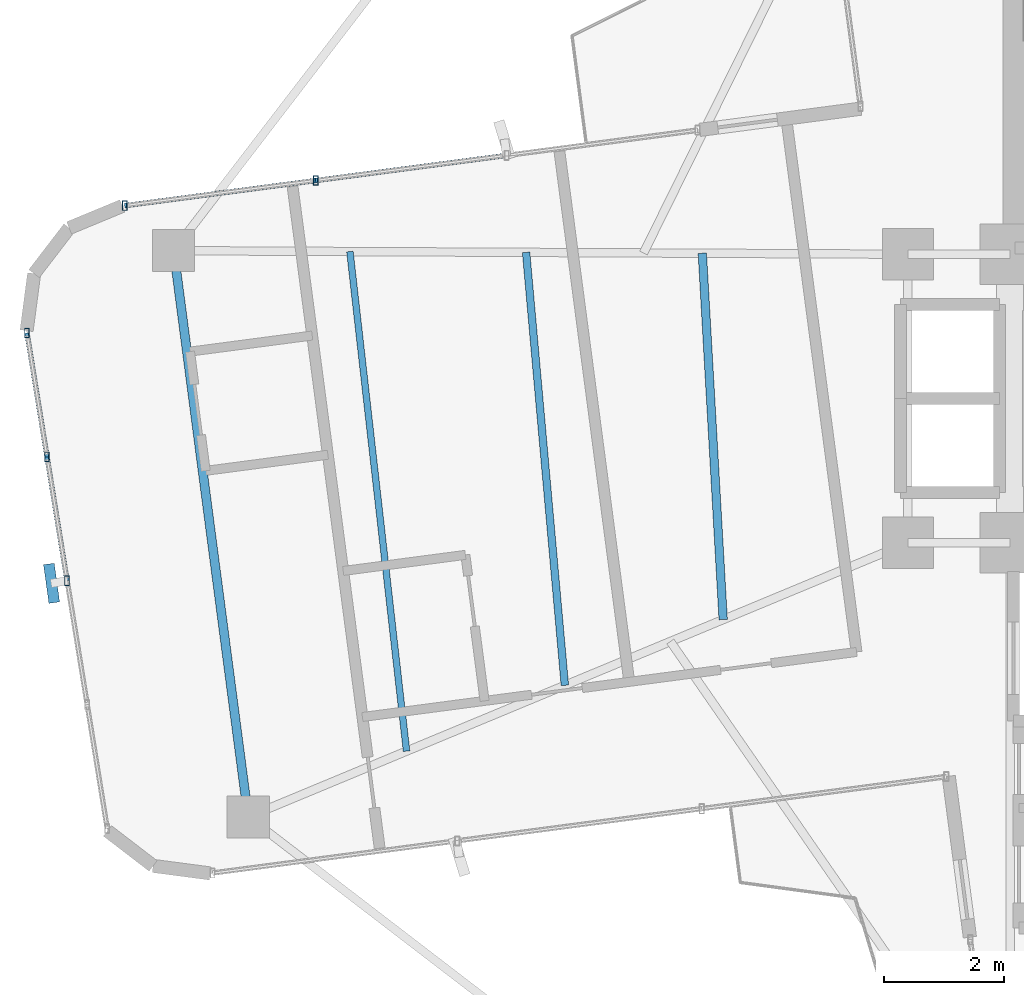
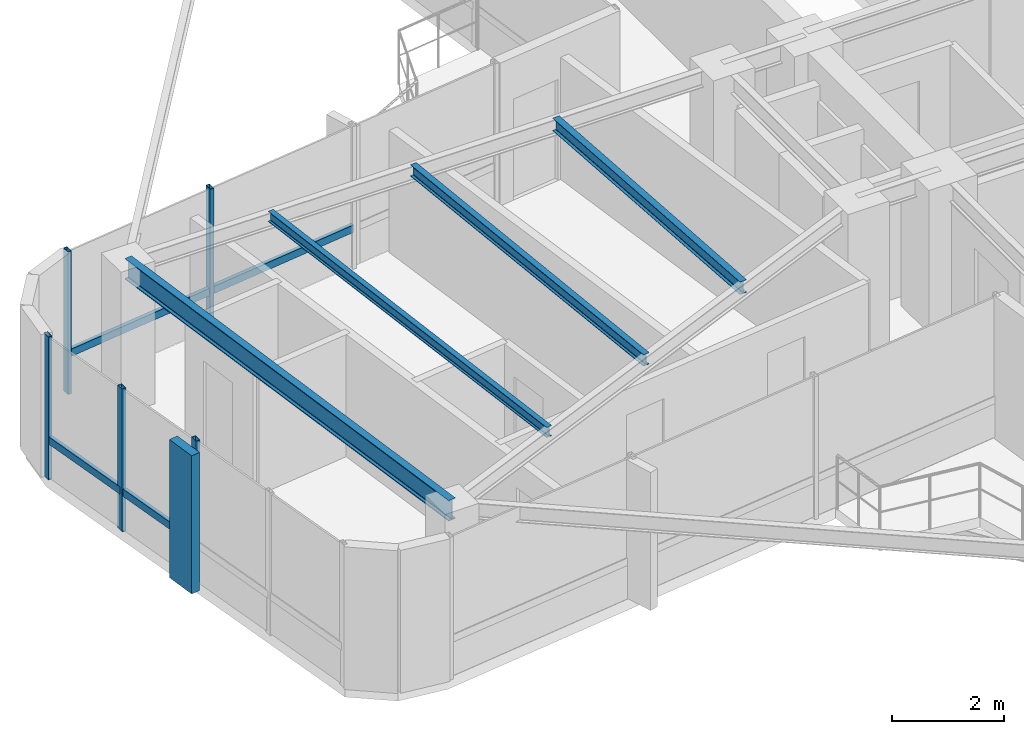
# One storey, part 7 of 22: 10 members, 4 beams, 2 elements without a shape of their own.
"""IFC4 building model written with IfcOpenShell, lengths in metres."""

import ifcopenshell
import ifcopenshell.guid

model = None  # the IFC model being written
_history = None  # IfcOwnerHistory: only IFC2X3 demands one
_inside = {}  # id of a spatial element -> (the spatial element, [elements in it])
_under = {}  # id of a project, library or spatial element -> (it, [spatial elements below it])
_declared = {}  # id of a project -> (the project, [libraries it declares])
_typed = {}  # id of a type object -> (the type object, [elements of that type])
_made_of = {}  # id of a material, layer set ... -> (it, [elements and type objects made of it])


def new_model(schema):
    """Start an empty IFC model of exactly this schema.

    Asked for "IFC4X3", IfcOpenShell would pick the latest addendum, in which some entities
    have other attributes; the version numbers below select the first issue.
    IFC2X3 requires an IfcOwnerHistory on every rooted entity: one is made here for all.
    """
    global model, _history
    if schema == "IFC4X3":
        model = ifcopenshell.file(schema_version=(4, 3, 0, 0))
    else:
        model = ifcopenshell.file(schema=schema)
    _inside.clear()
    _under.clear()
    _declared.clear()
    _typed.clear()
    _made_of.clear()
    _history = None
    if model.schema == "IFC2X3":
        org = make("IfcOrganization", Name="unknown")
        user = make(
            "IfcPersonAndOrganization",
            ThePerson=make("IfcPerson", FamilyName="unknown"),
            TheOrganization=org,
        )
        app = make(
            "IfcApplication",
            ApplicationDeveloper=org,
            Version="unknown",
            ApplicationFullName="unknown",
            ApplicationIdentifier="unknown",
        )
        _history = make(
            "IfcOwnerHistory",
            OwningUser=user,
            OwningApplication=app,
            ChangeAction="ADDED",
            CreationDate=0,
        )
    return model


def make(cls, **values):
    """One entity of the class cls with the attributes given. An attribute that is None is left unset."""
    return model.create_entity(
        cls, **{name: value for name, value in values.items() if value is not None}
    )


def rooted(cls, **values):
    """An entity with a GlobalId (a new one), such as an element, a storey or a relation."""
    return make(cls, GlobalId=ifcopenshell.guid.new(), OwnerHistory=_history, **values)


def si_unit(unit_type, name, prefix=None):
    """IfcSIUnit, for example si_unit("LENGTHUNIT", "METRE", prefix="MILLI")."""
    return make("IfcSIUnit", UnitType=unit_type, Prefix=prefix, Name=name)


def assignment(units):
    """IfcUnitAssignment: the units of a project."""
    return None if units is None else make("IfcUnitAssignment", Units=units)


def point(xyz):
    """IfcCartesianPoint."""
    return None if xyz is None else make("IfcCartesianPoint", Coordinates=xyz)


def direction(xyz):
    """IfcDirection."""
    return None if xyz is None else make("IfcDirection", DirectionRatios=xyz)


def frame(location, z_axis=None, x_axis=None):
    """IfcAxis2Placement3D, a coordinate frame: its origin and axes. An axis left out is left unset."""
    return make(
        "IfcAxis2Placement3D",
        Location=point(location),
        Axis=direction(z_axis),
        RefDirection=direction(x_axis),
    )


def frame_2d(location, x_axis=None):
    """IfcAxis2Placement2D, a coordinate frame in the plane: its origin and x axis."""
    return make(
        "IfcAxis2Placement2D", Location=point(location), RefDirection=direction(x_axis)
    )


def origin():
    """The frame at (0, 0, 0) with its axes left unset."""
    return frame((0.0, 0.0, 0.0))


def origin_2d():
    """The frame at (0, 0) in the plane with its x axis left unset."""
    return frame_2d((0.0, 0.0))


def place(relative_to, where):
    """IfcLocalPlacement: puts the frame where relative to a parent placement (None: the world)."""
    return make(
        "IfcLocalPlacement", PlacementRelTo=relative_to, RelativePlacement=where
    )


def context(
    kind, dimensions, precision=None, world=None, true_north=None, identifier=None
):
    """IfcGeometricRepresentationContext, for example the 3D "Model" context."""
    return make(
        "IfcGeometricRepresentationContext",
        ContextIdentifier=identifier,
        ContextType=kind,
        CoordinateSpaceDimension=dimensions,
        Precision=precision,
        WorldCoordinateSystem=world,
        TrueNorth=true_north,
    )


def subcontext(parent, identifier, kind, view, scale=None):
    """IfcGeometricRepresentationSubContext, for example "Body" below "Model"."""
    return make(
        "IfcGeometricRepresentationSubContext",
        ContextIdentifier=identifier,
        ContextType=kind,
        ParentContext=parent,
        TargetScale=scale,
        TargetView=view,
    )


def project(units=None, contexts=None):
    """IfcProject with its units and contexts."""
    return rooted(
        "IfcProject",
        Name="project",
        RepresentationContexts=contexts,
        UnitsInContext=assignment(units),
    )


def spatial(cls, under=None, at=None, **own):
    """A site, building, storey or space (cls), placed at a placement, below another one or the project."""
    s = rooted(cls, ObjectPlacement=at, **own)
    if under is not None:
        _under.setdefault(under.id(), (under, []))[1].append(s)
    return s


def profile(cls, at=None, kind="AREA", **sizes):
    """A parametric profile (cls). Its sizes go by their IFC names, for example OverallWidth=200.0."""
    return make(cls, ProfileType=kind, Position=at, **sizes)


def rectangle(**sizes):
    """IfcRectangleProfileDef."""
    return profile("IfcRectangleProfileDef", **sizes)


def hollow_rectangle(**sizes):
    """IfcRectangleHollowProfileDef."""
    return profile("IfcRectangleHollowProfileDef", **sizes)


def i_section(**sizes):
    """IfcIShapeProfileDef."""
    return profile("IfcIShapeProfileDef", **sizes)


def extrude(swept, where, along, depth):
    """IfcExtrudedAreaSolid: the profile swept, set in the frame where, extruded along a direction by depth."""
    return make(
        "IfcExtrudedAreaSolid",
        SweptArea=swept,
        Position=where,
        ExtrudedDirection=direction(along),
        Depth=depth,
    )


def shape(context_of_items, identifier, shape_type, items):
    """IfcShapeRepresentation: the items that make up one representation, for example the "Body"."""
    return make(
        "IfcShapeRepresentation",
        ContextOfItems=context_of_items,
        RepresentationIdentifier=identifier,
        RepresentationType=shape_type,
        Items=items,
    )


def source(mapping_origin, context_of_items, identifier, shape_type, items):
    """IfcRepresentationMap: a shape defined once, which mapped items show again and again."""
    return make(
        "IfcRepresentationMap",
        MappingOrigin=mapping_origin,
        MappedRepresentation=shape(context_of_items, identifier, shape_type, items),
    )


def transform(
    local_origin,
    x_axis=None,
    y_axis=None,
    z_axis=None,
    scale=None,
    scale2=None,
    scale3=None,
    uniform=True,
):
    """IfcCartesianTransformationOperator3D, or its non-uniform kind. x_axis, y_axis, z_axis: its Axis1, 2, 3."""
    if uniform:
        return make(
            "IfcCartesianTransformationOperator3D",
            Axis1=direction(x_axis),
            Axis2=direction(y_axis),
            LocalOrigin=point(local_origin),
            Scale=scale,
            Axis3=direction(z_axis),
        )
    return make(
        "IfcCartesianTransformationOperator3DnonUniform",
        Axis1=direction(x_axis),
        Axis2=direction(y_axis),
        LocalOrigin=point(local_origin),
        Scale=scale,
        Axis3=direction(z_axis),
        Scale2=scale2,
        Scale3=scale3,
    )


def mapped(mapping_source, mapping_target):
    """IfcMappedItem: shows the shape of a source again, moved by a transform."""
    return make(
        "IfcMappedItem", MappingSource=mapping_source, MappingTarget=mapping_target
    )


def material(Name=None, Category=None):
    """IfcMaterial."""
    return make("IfcMaterial", Name=Name, Category=Category)


def material_profile(
    of_material, cross_section, Name=None, Category=None, Priority=None
):
    """IfcMaterialProfile: a cross section and its material."""
    return make(
        "IfcMaterialProfile",
        Name=Name,
        Material=of_material,
        Profile=cross_section,
        Priority=Priority,
        Category=Category,
    )


def profile_set(profiles, Name=None, composite=None):
    """IfcMaterialProfileSet."""
    return make(
        "IfcMaterialProfileSet",
        Name=Name,
        MaterialProfiles=profiles,
        CompositeProfile=composite,
    )


def made_of(thing, what):
    """Note that an element or type object is made of a material, layer set ...; save() writes the relation."""
    if what is not None:
        _made_of.setdefault(what.id(), (what, []))[1].append(thing)
    return thing


def type_object(cls, material=None, **own):
    """A type object (cls), such as IfcWallType, which elements share."""
    return made_of(rooted(cls, **own), material)


def element(
    cls,
    number,
    at=None,
    inside=None,
    cuts=None,
    type_object=None,
    material=None,
    context=None,
    identifier="Body",
    shape_type=None,
    held_by="IfcProductDefinitionShape",
    body=None,
    shapes=None,
    **own,
):
    """One element of the class cls, such as IfcWall. Its Tag is "e" and its number.

    at: its placement. inside: the storey or other place that contains it. cuts: it is an
    opening in that element (IfcRelVoidsElement). A single representation is given by context,
    identifier, shape_type and body (its items); several are given by shapes. held_by: the class
    of the entity that holds the representations. save() writes the other relations.
    """
    e = rooted(cls, Tag="e%d" % number, ObjectPlacement=at, **own)
    if body is not None:
        shapes = [shape(context, identifier, shape_type, body)]
    if shapes is not None:
        e.Representation = make(held_by, Representations=shapes)
    if inside is not None:
        _inside.setdefault(inside.id(), (inside, []))[1].append(e)
    if cuts is not None:
        rooted(
            "IfcRelVoidsElement", RelatingBuildingElement=cuts, RelatedOpeningElement=e
        )
    if type_object is not None:
        _typed.setdefault(type_object.id(), (type_object, []))[1].append(e)
    return made_of(e, material)


def aggregate(whole, parts):
    """IfcRelAggregates: a whole, such as a stair, and the parts it consists of."""
    return rooted("IfcRelAggregates", RelatingObject=whole, RelatedObjects=parts)


def save(model, path):
    """Write the relations noted so far, then the file.

    IfcRelAggregates (storeys below a building ...), IfcRelContainedInSpatialStructure (elements
    in a storey), IfcRelDefinesByType, IfcRelAssociatesMaterial and IfcRelDeclares: one each for
    every whole, place, type object, material and project.
    """
    for whole, parts in _under.values():
        aggregate(whole, parts)
    for where, things in _inside.values():
        rooted(
            "IfcRelContainedInSpatialStructure",
            RelatedElements=things,
            RelatingStructure=where,
        )
    for kind, things in _typed.values():
        rooted("IfcRelDefinesByType", RelatedObjects=things, RelatingType=kind)
    for what, things in _made_of.values():
        rooted("IfcRelAssociatesMaterial", RelatedObjects=things, RelatingMaterial=what)
    for by, libraries in _declared.values():
        rooted("IfcRelDeclares", RelatingContext=by, RelatedDefinitions=libraries)
    model.write(path)


model = new_model("IFC4")

# Units and contexts
model_context = context("Model", 3, precision=1e-05, world=origin(), true_north=direction((0.0, 1.0)))
body_context = subcontext(model_context, "Body", "Model", "MODEL_VIEW")
ifc_project = project(units=[si_unit("LENGTHUNIT", "METRE"), si_unit("AREAUNIT", "SQUARE_METRE"), si_unit("VOLUMEUNIT", "CUBIC_METRE"), si_unit("PLANEANGLEUNIT", "RADIAN"), si_unit("MASSUNIT", "GRAM", prefix="KILO")], contexts=[model_context])

# Site, building, storey
site_placement = place(None, origin())
site = spatial("IfcSite", under=ifc_project, at=site_placement, CompositionType="ELEMENT")
building_placement = place(site_placement, origin())
building = spatial("IfcBuilding", under=site, at=building_placement, Name="Sahyath Konkavel Grand Hotel", CompositionType="ELEMENT")
storey_placement = place(building_placement, frame((0.0, 0.0, 272.449951171875)))
storey = spatial("IfcBuildingStorey", under=building, at=storey_placement, Name="L76", CompositionType="ELEMENT", Elevation=272.449951171875)

# Beams
ifc_material_1 = material(Name="Steel E350", Category="steel")
ifc_material_profile_1 = material_profile(ifc_material_1, i_section(OverallWidth=0.14990234375, OverallDepth=0.449951171875, WebThickness=0.009521484375, FlangeThickness=0.017333984375, FilletRadius=0.014892578125, at=origin_2d()), Name="ISMB 450")
ifc_profile_set_1 = profile_set([ifc_material_profile_1], Name="Steel E350")
beam_type_1 = type_object("IfcBeamType", Name="BM-ISMB450", PredefinedType="BEAM", material=ifc_profile_set_1)
shared_shape_1 = source(origin(), body_context, "Body", "SweptSolid", [
    extrude(i_section(OverallWidth=0.14990234375, OverallDepth=0.449951171875, WebThickness=0.009521484375, FlangeThickness=0.017333984375, FilletRadius=0.014892578125, at=origin_2d()), origin(), (0.0, 0.0, 1.0), 9.5),
])
beam_1_placement = place(storey_placement, frame((-17.71240234375, 2.458984375, 2.885009765625), z_axis=(0.130525643939, -0.991444933556, 0.0), x_axis=(0.991444933556, 0.130525643939, 0.0)))
element("IfcBeam", 1, at=beam_1_placement, inside=storey, type_object=beam_type_1, Name="L76 Wing Tip Edge Beam W", PredefinedType="BEAM", context=body_context, shape_type="MappedRepresentation", body=[
    mapped(shared_shape_1, transform((0.0, 0.0, 0.0), scale=1.0)),
])
ifc_material_profile_2 = material_profile(ifc_material_1, i_section(OverallWidth=0.139892578125, OverallDepth=0.27490234375, WebThickness=0.00634765625, FlangeThickness=0.0087890625, FilletRadius=0.012939453125, at=origin_2d()), Name="ISLB 275")
ifc_profile_set_2 = profile_set([ifc_material_profile_2], Name="Steel E350")
beam_type_2 = type_object("IfcBeamType", Name="BM-ISLB275", PredefinedType="BEAM", material=ifc_profile_set_2)
shared_shape_2 = source(origin(), body_context, "Body", "SweptSolid", [
    extrude(i_section(OverallWidth=0.139892578125, OverallDepth=0.27490234375, WebThickness=0.00634765625, FlangeThickness=0.0087890625, FilletRadius=0.012939453125, at=origin_2d()), origin(), (0.0, 0.0, 1.0), 6.10302734375),
])
beam_2_placement = place(storey_placement, frame((-8.91943359375, 2.41650390625, 2.97265625), z_axis=(0.056883465537, -0.99838082481, 0.0), x_axis=(0.99838082481, 0.056883465537, 0.0)))
element("IfcBeam", 2, at=beam_2_placement, inside=storey, type_object=beam_type_2, Name="L76 Secondary Floor Beam W-1", PredefinedType="BEAM", context=body_context, shape_type="MappedRepresentation", body=[
    mapped(shared_shape_2, transform((0.0, 0.0, 0.0), scale=1.0)),
])
ifc_material_profile_3 = material_profile(ifc_material_1, i_section(OverallWidth=0.125, OverallDepth=0.25, WebThickness=0.0068359375, FlangeThickness=0.012451171875, FilletRadius=0.012939453125, at=origin_2d()), Name="ISMB 250")
ifc_profile_set_3 = profile_set([ifc_material_profile_3], Name="Steel E350")
beam_type_3 = type_object("IfcBeamType", Name="BM-ISMB250", PredefinedType="BEAM", material=ifc_profile_set_3)
shared_shape_3 = source(origin(), body_context, "Body", "SweptSolid", [
    extrude(i_section(OverallWidth=0.125, OverallDepth=0.25, WebThickness=0.0068359375, FlangeThickness=0.012451171875, FilletRadius=0.012939453125, at=origin_2d()), origin(), (0.0, 0.0, 1.0), 7.23046875),
])
beam_3_placement = place(storey_placement, frame((-11.8505859375, 2.4306640625, 2.985107421875), z_axis=(0.089174799421, -0.996015991412, 0.0), x_axis=(0.996015991412, 0.089174799421, 0.0)))
element("IfcBeam", 3, at=beam_3_placement, inside=storey, type_object=beam_type_3, Name="L76 Secondary Floor Beam W-2", PredefinedType="BEAM", context=body_context, shape_type="MappedRepresentation", body=[
    mapped(shared_shape_3, transform((0.0, 0.0, 0.0), scale=1.0)),
])
ifc_material_profile_4 = material_profile(ifc_material_1, i_section(OverallWidth=0.110107421875, OverallDepth=0.22509765625, WebThickness=0.006591796875, FlangeThickness=0.01171875, FilletRadius=0.011962890625, at=origin_2d()), Name="ISMB 225")
ifc_profile_set_4 = profile_set([ifc_material_profile_4], Name="Steel E350")
beam_type_4 = type_object("IfcBeamType", Name="BM-ISMB225", PredefinedType="BEAM", material=ifc_profile_set_4)
shared_shape_4 = source(origin(), body_context, "Body", "SweptSolid", [
    extrude(i_section(OverallWidth=0.110107421875, OverallDepth=0.22509765625, WebThickness=0.006591796875, FlangeThickness=0.01171875, FilletRadius=0.011962890625, at=origin_2d()), origin(), (0.0, 0.0, 1.0), 8.36328125),
])
beam_4_placement = place(storey_placement, frame((-14.781494140625, 2.44482421875, 2.99755859375), z_axis=(0.112680437677, -0.99363127918, 0.0), x_axis=(0.99363127918, 0.112680437677, 0.0)))
element("IfcBeam", 4, at=beam_4_placement, inside=storey, type_object=beam_type_4, Name="L76 Secondary Floor Beam W-3", PredefinedType="BEAM", context=body_context, shape_type="MappedRepresentation", body=[
    mapped(shared_shape_4, transform((0.0, 0.0, 0.0), scale=1.0)),
])

# Curtain wall, member
ifc_material_2 = material(Name="Anodised Bronze Aluminium & Low-E Glazing", Category="aluminium")
curtain_wall_type = type_object("IfcCurtainWallType", Name="CW-ZONE4", PredefinedType="NOTDEFINED", material=ifc_material_2)
curtain_wall_1_placement = place(storey_placement, origin())
curtain_wall_1 = element("IfcCurtainWall", 5, at=curtain_wall_1_placement, inside=storey, type_object=curtain_wall_type, Name="L76 Unitised Curtain Wall F20", PredefinedType="NOTDEFINED")
ifc_material_3 = material(Name="Warm Buff Sandstone Cladding on Concrete C50/60", Category="masonry")
ifc_material_profile_5 = material_profile(ifc_material_3, rectangle(XDim=0.179931640625, YDim=0.64990234375, at=origin_2d()), Name="FIN 180x650")
ifc_profile_set_5 = profile_set([ifc_material_profile_5], Name="Warm Buff Sandstone Cladding on Concrete C50/60")
member_type_1 = type_object("IfcMemberType", Name="FIN-SANDSTONE-650", PredefinedType="MULLION", material=ifc_profile_set_5)
shared_shape_5 = source(origin(), body_context, "Body", "SweptSolid", [
    extrude(rectangle(XDim=0.179931640625, YDim=0.64990234375, at=origin_2d()), origin(), (0.0, 0.0, 1.0), 3.010009765625),
])
member_1_placement = place(storey_placement, frame((-19.74365234375, -3.073486328125, 0.050048828125), z_axis=(0.0, 0.0, 1.0), x_axis=(0.990461425697, 0.137790290685, 0.0)))
member_1 = element("IfcMember", 6, at=member_1_placement, type_object=member_type_1, Name="L76 Sandstone Vertical Solar Fin FIN F20-2", PredefinedType="MULLION", context=body_context, shape_type="MappedRepresentation", body=[
    mapped(shared_shape_5, transform((0.0, 0.0, 0.0), scale=1.0)),
])

# Curtain wall, members
curtain_wall_2_placement = place(storey_placement, origin())
curtain_wall_2 = element("IfcCurtainWall", 7, at=curtain_wall_2_placement, inside=storey, type_object=curtain_wall_type, Name="L76 Unitised Curtain Wall F16", PredefinedType="NOTDEFINED")
ifc_material_4 = material(Name="Anodised Bronze Aluminium", Category="aluminium")
ifc_material_profile_6 = material_profile(ifc_material_4, hollow_rectangle(XDim=0.080078125, YDim=0.159912109375, WallThickness=0.006103515625, at=origin_2d()), Name="RHS 160x80x6")
ifc_profile_set_6 = profile_set([ifc_material_profile_6], Name="Anodised Bronze Aluminium")
member_type_2 = type_object("IfcMemberType", Name="CW-MUL-160", PredefinedType="MULLION", material=ifc_profile_set_6)
shared_shape_6 = source(origin(), body_context, "Body", "SweptSolid", [
    extrude(hollow_rectangle(XDim=0.080078125, YDim=0.159912109375, WallThickness=0.006103515625, at=origin_2d()), origin(), (0.0, 0.0, 1.0), 3.110107421875),
])
member_2_placement = place(storey_placement, frame((-15.351318359375, 3.627197265625, 0.0), z_axis=(0.0, 0.0, 1.0), x_axis=(1.0, 0.0, 0.0)))
member_2 = element("IfcMember", 8, at=member_2_placement, type_object=member_type_2, Name="L76 Curtain Wall Mullion F16-2", PredefinedType="MULLION", context=body_context, shape_type="MappedRepresentation", body=[
    mapped(shared_shape_6, transform((0.0, 0.0, 0.0), scale=1.0)),
])
member_3_placement = place(storey_placement, frame((-18.52734375, 3.208984375, 0.0), z_axis=(0.0, 0.0, 1.0), x_axis=(1.0, 0.0, 0.0)))
member_3 = element("IfcMember", 9, at=member_3_placement, type_object=member_type_2, Name="L76 Curtain Wall Mullion F16-3", PredefinedType="MULLION", context=body_context, shape_type="MappedRepresentation", body=[
    mapped(shared_shape_6, transform((0.0, 0.0, 0.0), scale=1.0)),
])

# Member
member_4_placement = place(storey_placement, frame((-20.1533203125, 1.0888671875, 0.0), z_axis=(0.0, 0.0, 1.0), x_axis=(1.0, 0.0, 0.0)))
member_4 = element("IfcMember", 10, at=member_4_placement, type_object=member_type_2, Name="L76 Curtain Wall Mullion F20-0", PredefinedType="MULLION", context=body_context, shape_type="MappedRepresentation", body=[
    mapped(shared_shape_6, transform((0.0, 0.0, 0.0), scale=1.0)),
])

member_5_placement = place(storey_placement, frame((-19.8203125, -0.9716796875, 0.0), z_axis=(0.0, 0.0, 1.0), x_axis=(1.0, 0.0, 0.0)))
member_5 = element("IfcMember", 11, at=member_5_placement, type_object=member_type_2, Name="L76 Curtain Wall Mullion F20-1", PredefinedType="MULLION", context=body_context, shape_type="MappedRepresentation", body=[
    mapped(shared_shape_6, transform((0.0, 0.0, 0.0), scale=1.0)),
])

member_6_placement = place(storey_placement, frame((-19.487060546875, -3.031982421875, 0.0), z_axis=(0.0, 0.0, 1.0), x_axis=(1.0, 0.0, 0.0)))
member_6 = element("IfcMember", 12, at=member_6_placement, type_object=member_type_2, Name="L76 Curtain Wall Mullion F20-2", PredefinedType="MULLION", context=body_context, shape_type="MappedRepresentation", body=[
    mapped(shared_shape_6, transform((0.0, 0.0, 0.0), scale=1.0)),
])

ifc_material_profile_7 = material_profile(ifc_material_4, hollow_rectangle(XDim=0.080078125, YDim=0.159912109375, WallThickness=0.006103515625, at=origin_2d()), Name="RHS 160x80x6")
ifc_profile_set_7 = profile_set([ifc_material_profile_7], Name="Anodised Bronze Aluminium")
member_type_3 = type_object("IfcMemberType", Name="CW-TRN-160", PredefinedType="USERDEFINED", material=ifc_profile_set_7)
shared_shape_7 = source(origin(), body_context, "Body", "SweptSolid", [
    extrude(hollow_rectangle(XDim=0.080078125, YDim=0.159912109375, WallThickness=0.006103515625, at=origin_2d()), origin(), (0.0, 0.0, 1.0), 3.203369140625),
])
member_7_placement = place(storey_placement, frame((-15.351318359375, 3.627197265625, 0.85009765625), z_axis=(-0.991441580194, -0.130551112835, 0.0), x_axis=(0.130551112835, -0.991441580194, 0.0)))
member_7 = element("IfcMember", 13, at=member_7_placement, type_object=member_type_3, Name="L76 Curtain Wall Transom F16-2-spandrel", ObjectType="TRANSOM", PredefinedType="USERDEFINED", context=body_context, shape_type="MappedRepresentation", body=[
    mapped(shared_shape_7, transform((0.0, 0.0, 0.0), scale=1.0)),
])

shared_shape_8 = source(origin(), body_context, "Body", "SweptSolid", [
    extrude(hollow_rectangle(XDim=0.080078125, YDim=0.159912109375, WallThickness=0.006103515625, at=origin_2d()), origin(), (0.0, 0.0, 1.0), 3.203125),
])
member_8_placement = place(storey_placement, frame((-12.175537109375, 4.04541015625, 0.85009765625), z_axis=(-0.991440281121, -0.13056097798, 0.0), x_axis=(0.13056097798, -0.991440281121, 0.0)))
member_8 = element("IfcMember", 14, at=member_8_placement, type_object=member_type_3, Name="L76 Curtain Wall Transom F16-1-spandrel", ObjectType="TRANSOM", PredefinedType="USERDEFINED", context=body_context, shape_type="MappedRepresentation", body=[
    mapped(shared_shape_8, transform((0.0, 0.0, 0.0), scale=1.0)),
])

aggregate(curtain_wall_2, [member_2, member_3, member_8, member_7])

shared_shape_9 = source(origin(), body_context, "Body", "SweptSolid", [
    extrude(hollow_rectangle(XDim=0.080078125, YDim=0.159912109375, WallThickness=0.006103515625, at=origin_2d()), origin(), (0.0, 0.0, 1.0), 2.08740234375),
])
member_9_placement = place(storey_placement, frame((-20.1533203125, 1.0888671875, 0.85009765625), z_axis=(0.159541334591, -0.98719124923, 0.0), x_axis=(0.98719124923, 0.159541334591, 0.0)))
member_9 = element("IfcMember", 15, at=member_9_placement, type_object=member_type_3, Name="L76 Curtain Wall Transom F20-0-spandrel", ObjectType="TRANSOM", PredefinedType="USERDEFINED", context=body_context, shape_type="MappedRepresentation", body=[
    mapped(shared_shape_9, transform((0.0, 0.0, 0.0), scale=1.0)),
])

shared_shape_10 = source(origin(), body_context, "Body", "SweptSolid", [
    extrude(hollow_rectangle(XDim=0.080078125, YDim=0.159912109375, WallThickness=0.006103515625, at=origin_2d()), origin(), (0.0, 0.0, 1.0), 2.087158203125),
])
member_10_placement = place(storey_placement, frame((-19.8203125, -0.9716796875, 0.85009765625), z_axis=(0.159673756436, -0.98716983924, 0.0), x_axis=(0.98716983924, 0.159673756436, 0.0)))
member_10 = element("IfcMember", 16, at=member_10_placement, type_object=member_type_3, Name="L76 Curtain Wall Transom F20-1-spandrel", ObjectType="TRANSOM", PredefinedType="USERDEFINED", context=body_context, shape_type="MappedRepresentation", body=[
    mapped(shared_shape_10, transform((0.0, 0.0, 0.0), scale=1.0)),
])

aggregate(curtain_wall_1, [member_4, member_5, member_6, member_1, member_9, member_10])

save(model, "model.ifc")
